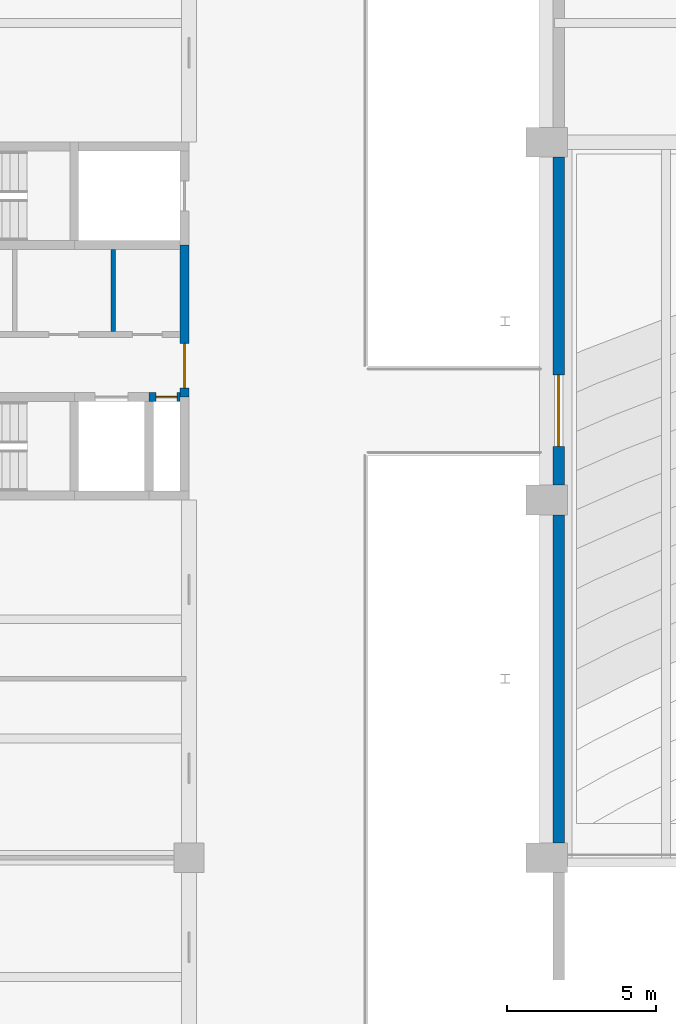
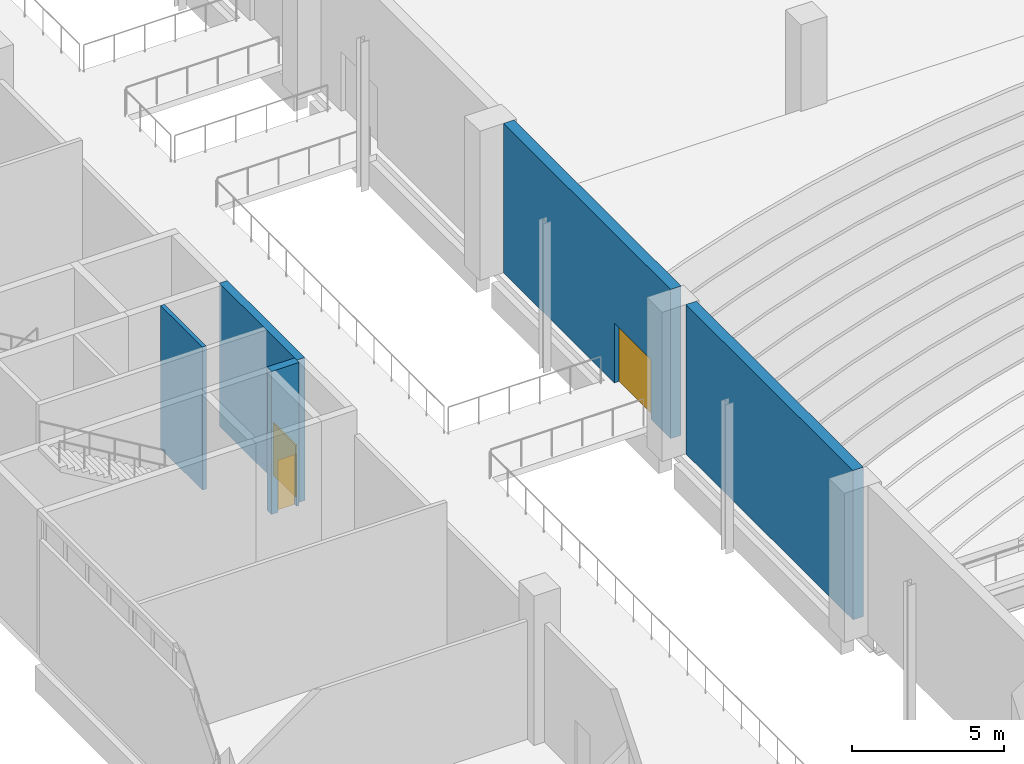
# One storey, part 56 of 72: 5 walls, 3 doors, 3 openings.
"""IFC4 building model written with IfcOpenShell, lengths in metres."""

from ifc_helpers import new_model, si_unit, direction, frame, frame_2d, origin, place, context, subcontext, project, spatial, rectangle, extrude, material, layer, layer_set, type_object, element, fill, save


model = new_model("IFC4")

# Units and contexts
model_context = context("Model", 3, precision=1e-05, world=origin(), true_north=direction((0.0, 1.0)))
body_context = subcontext(model_context, "Body", "Model", "MODEL_VIEW")
ifc_project = project(units=[si_unit("LENGTHUNIT", "METRE"), si_unit("AREAUNIT", "SQUARE_METRE"), si_unit("VOLUMEUNIT", "CUBIC_METRE"), si_unit("PLANEANGLEUNIT", "RADIAN"), si_unit("MASSUNIT", "GRAM", prefix="KILO")], contexts=[model_context])

# Site, building, storey
site_placement = place(None, origin())
site = spatial("IfcSite", under=ifc_project, at=site_placement, CompositionType="ELEMENT")
building_placement = place(site_placement, origin())
building = spatial("IfcBuilding", under=site, at=building_placement, Name="Lilac Gate Convention Centre", CompositionType="ELEMENT")
storey_placement = place(building_placement, frame((0.0, 0.0, 6.0)))
storey = spatial("IfcBuildingStorey", under=building, at=storey_placement, Name="L01", CompositionType="ELEMENT", Elevation=6.0)

# Wall
ifc_material_1 = material(Name="Concrete C30", Category="concrete")
ifc_layer_1 = layer(ifc_material_1, 0.39990234375)
ifc_layer_set_1 = layer_set([ifc_layer_1], Name="Concrete C30")
wall_type_1 = type_object("IfcWallType", Name="Hall fire wall 400", PredefinedType="SOLIDWALL", material=ifc_layer_set_1)
wall_1_placement = place(storey_placement, frame((30.39990234375, 138.5, 0.0), z_axis=(0.0, 0.0, 1.0), x_axis=(0.0, 1.0, 0.0)))
element("IfcWall", 1, at=wall_1_placement, inside=storey, type_object=wall_type_1, Name="Fire wall galleria FW L01 10", PredefinedType="SOLIDWALL", context=body_context, shape_type="SweptSolid", body=[
    extrude(rectangle(XDim=11.0, YDim=0.39990234375, at=frame_2d((5.5, 0.0))), origin(), (0.0, 0.0, 1.0), 6.0),
])

# Wall, opening, door
wall_2_placement = place(storey_placement, frame((30.39990234375, 150.5, 0.0), z_axis=(0.0, 0.0, 1.0), x_axis=(0.0, 1.0, 0.0)))
wall_2 = element("IfcWall", 2, at=wall_2_placement, inside=storey, type_object=wall_type_1, Name="Fire wall galleria FW L01 11", PredefinedType="SOLIDWALL", context=body_context, shape_type="SweptSolid", body=[
    extrude(rectangle(XDim=11.0, YDim=0.39990234375, at=frame_2d((5.5, 0.0))), origin(), (0.0, 0.0, 1.0), 6.0),
])
opening_1_placement = place(wall_2_placement, frame((1.300048828125, 0.0, 0.0)))
opening_1 = element("IfcOpeningElement", 3, at=opening_1_placement, cuts=wall_2, Name="Opening L01-054", PredefinedType="OPENING", context=body_context, shape_type="SweptSolid", body=[
    extrude(rectangle(XDim=2.39990234375, YDim=2.39990234375, at=frame_2d((1.199951171875, 1.199951171875))), frame((0.0, 0.2099609375, 0.0), z_axis=(0.0, -1.0, 0.0), x_axis=(1.0, 0.0, 0.0)), (0.0, 0.0, 1.0), 0.419921875),
])
ifc_material_2 = material(Name="Steel Q235B", Category="steel")
door_type_1 = type_object("IfcDoorType", Name="Door 2400 x 2400 double leaf FD90", OperationType="DOUBLE_DOOR_SINGLE_SWING", PredefinedType="DOOR", material=ifc_material_2)
door_1_placement = place(opening_1_placement, origin())
door_1 = element("IfcDoor", 4, at=door_1_placement, inside=storey, type_object=door_type_1, Name="Balcony exit door L01-054", OperationType="DOUBLE_DOOR_SINGLE_SWING", OverallHeight=2.39990234375, OverallWidth=2.39990234375, PredefinedType="DOOR", context=body_context, shape_type="SweptSolid", body=[
    extrude(rectangle(XDim=2.39990234375, YDim=2.39990234375, at=frame_2d((1.199951171875, 1.199951171875))), frame((0.0, 0.02490234375, 0.0), z_axis=(0.0, -1.0, 0.0), x_axis=(1.0, 0.0, 0.0)), (0.0, 0.0, 1.0), 0.050048828125),
])
fill(opening_1, door_1)

# Wall
ifc_material_3 = material(Name="Fire-rated gypsum board on steel stud", Category="steel")
ifc_layer_2 = layer(ifc_material_3, 0.14990234375)
ifc_layer_set_2 = layer_set([ifc_layer_2], Name="Fire-rated gypsum board on steel stud")
wall_type_2 = type_object("IfcWallType", Name="Partition 150 fire-rated gypsum board EI 60", PredefinedType="PARTITIONING", material=ifc_layer_set_2)
wall_3_placement = place(storey_placement, frame((15.449951171875, 155.64990234375, 0.0), z_axis=(0.0, 0.0, 1.0), x_axis=(0.0, 1.0, 0.0)))
element("IfcWall", 5, at=wall_3_placement, inside=storey, type_object=wall_type_2, Name="Partition 150 fire-rated gypsum board EI 60", PredefinedType="PARTITIONING", context=body_context, shape_type="SweptSolid", body=[
    extrude(rectangle(XDim=2.75, YDim=0.14990234375, at=frame_2d((1.375, 0.0))), origin(), (0.0, 0.0, 1.0), 5.75),
])

# Wall, opening, door
ifc_material_4 = material(Name="Concrete C40", Category="concrete")
ifc_layer_3 = layer(ifc_material_4, 0.300048828125)
ifc_layer_set_3 = layer_set([ifc_layer_3], Name="Concrete C40")
wall_type_3 = type_object("IfcWallType", Name="Shear wall 300 C40", PredefinedType="SHEAR", material=ifc_layer_set_3)
wall_4_placement = place(storey_placement, frame((16.64990234375, 153.449951171875, 0.0), z_axis=(0.0, 0.0, 1.0), x_axis=(1.0, 0.0, 0.0)))
wall_4 = element("IfcWall", 6, at=wall_4_placement, inside=storey, type_object=wall_type_3, Name="SW1 shear wall W3 L01 8", PredefinedType="SHEAR", context=body_context, shape_type="SweptSolid", body=[
    extrude(rectangle(XDim=1.050048828125, YDim=0.300048828125, at=frame_2d((0.52490234375, 0.0))), origin(), (0.0, 0.0, 1.0), 5.75),
])
opening_2_placement = place(wall_4_placement, frame((0.25, 0.0, 0.0)))
opening_2 = element("IfcOpeningElement", 7, at=opening_2_placement, cuts=wall_4, Name="Opening L01-056", PredefinedType="OPENING", context=body_context, shape_type="SweptSolid", body=[
    extrude(rectangle(XDim=0.699951171875, YDim=2.10009765625, at=frame_2d((0.35009765625, 1.050048828125))), frame((0.0, 0.159912109375, 0.0), z_axis=(0.0, -1.0, 0.0), x_axis=(1.0, 0.0, 0.0)), (0.0, 0.0, 1.0), 0.320068359375),
])
ifc_material_5 = material(Name="Timber fire door leaf", Category="wood")
door_type_2 = type_object("IfcDoorType", Name="Door 700 x 2100 single leaf FD30", OperationType="SINGLE_SWING_LEFT", PredefinedType="DOOR", material=ifc_material_5)
door_2_placement = place(opening_2_placement, frame((0.699951171875, 0.0, 0.0), z_axis=(0.0, 0.0, 1.0), x_axis=(-1.0, 0.0, 0.0)))
door_2 = element("IfcDoor", 8, at=door_2_placement, inside=storey, type_object=door_type_2, Name="Riser access door L01-056", OperationType="SINGLE_SWING_LEFT", OverallHeight=2.10009765625, OverallWidth=0.699951171875, PredefinedType="DOOR", context=body_context, shape_type="SweptSolid", body=[
    extrude(rectangle(XDim=0.699951171875, YDim=2.10009765625, at=frame_2d((0.35009765625, 1.050048828125))), frame((0.0, 0.02490234375, 0.0), z_axis=(0.0, -1.0, 0.0), x_axis=(1.0, 0.0, 0.0)), (0.0, 0.0, 1.0), 0.050048828125),
])
fill(opening_2, door_2)

wall_5_placement = place(storey_placement, frame((17.85009765625, 153.449951171875, 0.0), z_axis=(0.0, 0.0, 1.0), x_axis=(0.0, 1.0, 0.0)))
wall_5 = element("IfcWall", 9, at=wall_5_placement, inside=storey, type_object=wall_type_3, Name="SW1 shear wall W3 L01 15", PredefinedType="SHEAR", context=body_context, shape_type="SweptSolid", body=[
    extrude(rectangle(XDim=5.10009765625, YDim=0.300048828125, at=frame_2d((2.550048828125, 0.0))), origin(), (0.0, 0.0, 1.0), 5.75),
])
opening_3_placement = place(wall_5_placement, frame((0.300048828125, 0.0, 0.0)))
opening_3 = element("IfcOpeningElement", 10, at=opening_3_placement, cuts=wall_5, Name="Opening L01-059", PredefinedType="OPENING", context=body_context, shape_type="SweptSolid", body=[
    extrude(rectangle(XDim=1.5, YDim=2.10009765625, at=frame_2d((0.75, 1.050048828125))), frame((0.0, 0.159912109375, 0.0), z_axis=(0.0, -1.0, 0.0), x_axis=(1.0, 0.0, 0.0)), (0.0, 0.0, 1.0), 0.320068359375),
])
door_type_3 = type_object("IfcDoorType", Name="Door 1500 x 2100 double leaf FD30", OperationType="DOUBLE_DOOR_SINGLE_SWING", PredefinedType="DOOR", material=ifc_material_5)
door_3_placement = place(opening_3_placement, origin())
door_3 = element("IfcDoor", 11, at=door_3_placement, inside=storey, type_object=door_type_3, Name="Lobby door L01-059", OperationType="DOUBLE_DOOR_SINGLE_SWING", OverallHeight=2.10009765625, OverallWidth=1.5, PredefinedType="DOOR", context=body_context, shape_type="SweptSolid", body=[
    extrude(rectangle(XDim=1.5, YDim=2.10009765625, at=frame_2d((0.75, 1.050048828125))), frame((0.0, 0.02490234375, 0.0), z_axis=(0.0, -1.0, 0.0), x_axis=(1.0, 0.0, 0.0)), (0.0, 0.0, 1.0), 0.050048828125),
])
fill(opening_3, door_3)

save(model, "model.ifc")
